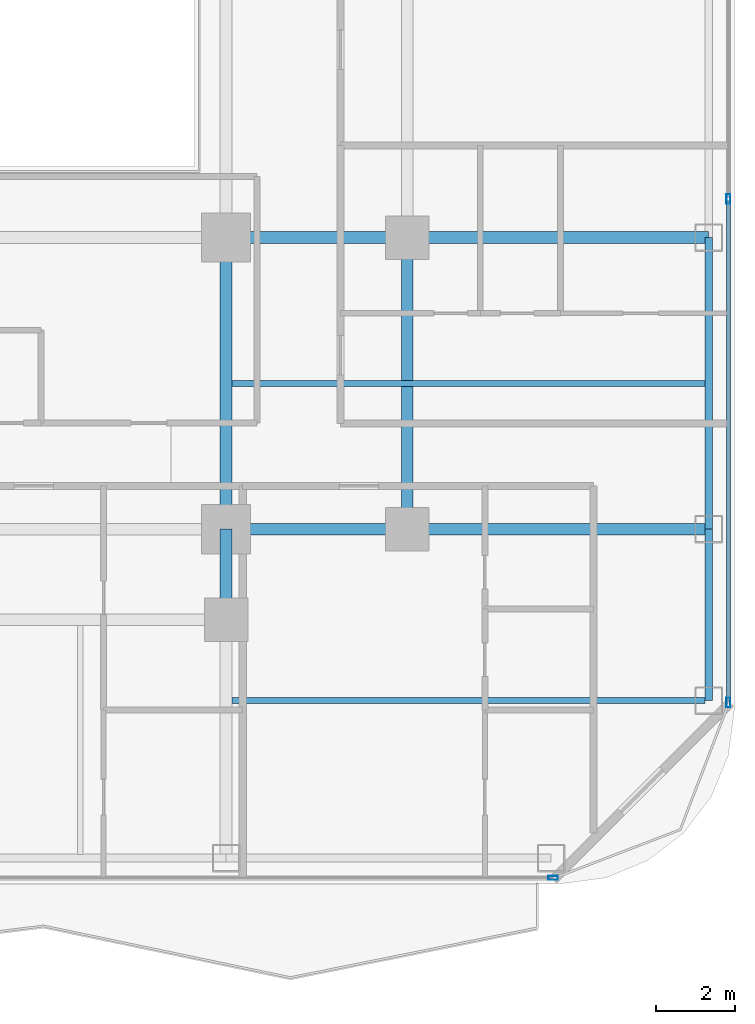
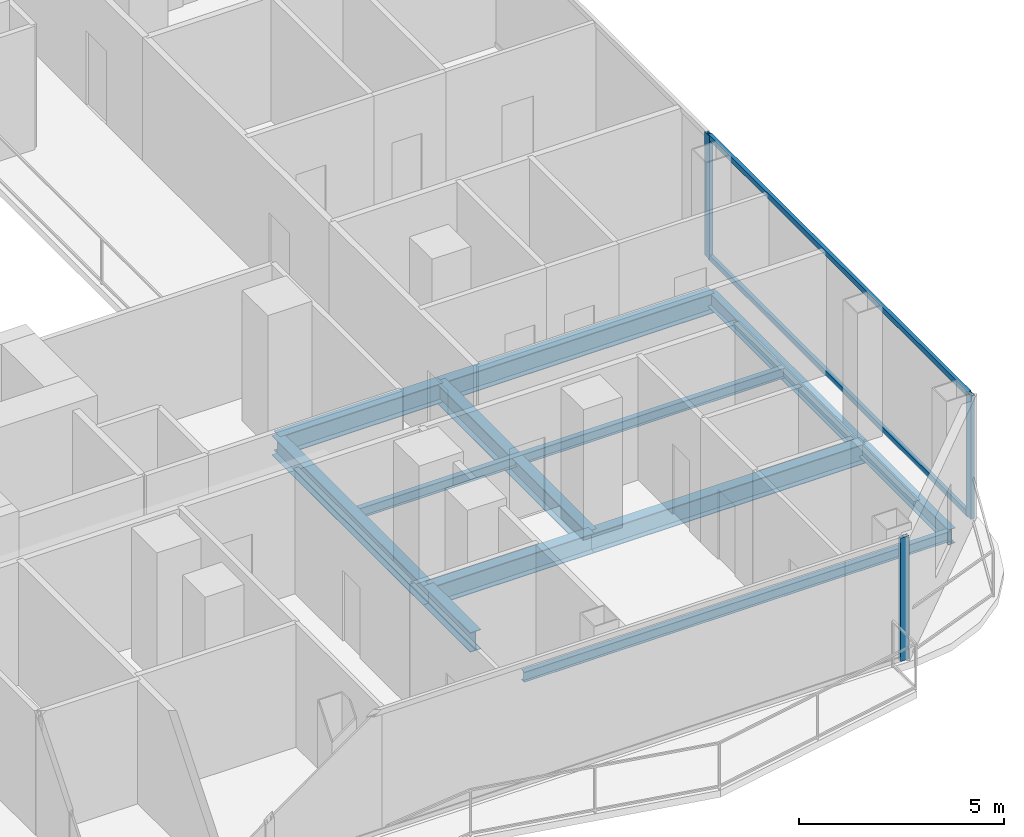
# One storey, part 10 of 29: 11 beams, 5 members, 2 elements without a shape of their own.
"""IFC4 building model written with IfcOpenShell, lengths in metres."""

from ifc_helpers import new_model, si_unit, direction, frame, origin, origin_2d, place, context, subcontext, project, spatial, hollow_rectangle, i_section, extrude, material, layer, layer_set, material_profile, profile_set, type_object, element, aggregate, save


model = new_model("IFC4")

# Units and contexts
model_context = context("Model", 3, precision=1e-05, world=origin(), true_north=direction((0.0, 1.0)))
body_context = subcontext(model_context, "Body", "Model", "MODEL_VIEW")
ifc_project = project(units=[si_unit("LENGTHUNIT", "METRE"), si_unit("AREAUNIT", "SQUARE_METRE"), si_unit("VOLUMEUNIT", "CUBIC_METRE"), si_unit("PLANEANGLEUNIT", "RADIAN"), si_unit("MASSUNIT", "GRAM", prefix="KILO")], contexts=[model_context])

# Site, building, storey
site_placement = place(None, origin())
site = spatial("IfcSite", under=ifc_project, at=site_placement, CompositionType="ELEMENT")
building_placement = place(site_placement, origin())
building = spatial("IfcBuilding", under=site, at=building_placement, Name="Khorvyn Point Tower", CompositionType="ELEMENT")
storey_placement = place(building_placement, frame((0.0, 0.0, 140.699951171875)))
storey = spatial("IfcBuildingStorey", under=building, at=storey_placement, Name="L35", CompositionType="ELEMENT", Elevation=140.699951171875)

# Curtain wall, member
ifc_material_1 = material(Name="Anodised aluminium 6063-T6 and laminated Low-E glass", Category="aluminium")
ifc_layer = layer(ifc_material_1, 0.18994140625)
ifc_layer_set = layer_set([ifc_layer], Name="Stick-Built Acoustic Curtain Wall CW-SYS-03")
curtain_wall_type = type_object("IfcCurtainWallType", Name="Stick-Built Acoustic Curtain Wall CW-SYS-03", PredefinedType="NOTDEFINED", material=ifc_layer_set)
curtain_wall_1_placement = place(storey_placement, origin())
curtain_wall_1 = element("IfcCurtainWall", 1, at=curtain_wall_1_placement, inside=storey, type_object=curtain_wall_type, Name="Curtain Wall", PredefinedType="NOTDEFINED")
ifc_material_2 = material(Name="Anodised aluminium 6063-T6", Category="aluminium")
ifc_material_profile_1 = material_profile(ifc_material_2, hollow_rectangle(XDim=0.10009765625, YDim=0.239990234375, WallThickness=0.0048828125, at=origin_2d()))
ifc_profile_set_1 = profile_set([ifc_material_profile_1], Name="Anodised aluminium 6063-T6 ALU-MUL-100x240")
member_type_1 = type_object("IfcMemberType", Name="Anodised Aluminium 6063-T6 Mullion ALU-MUL-100x240", PredefinedType="MULLION", material=ifc_profile_set_1)
member_1_placement = place(storey_placement, frame((23.10009765625, -23.64990234375, 0.0), z_axis=(0.0, 0.0, 1.0), x_axis=(0.0, -1.0, 0.0)))
member_1 = element("IfcMember", 2, at=member_1_placement, type_object=member_type_1, Name="Transom", PredefinedType="MULLION", context=body_context, shape_type="SweptSolid", body=[
    extrude(hollow_rectangle(XDim=0.10009765625, YDim=0.239990234375, WallThickness=0.0048828125, at=origin_2d()), origin(), (0.0, 0.0, 1.0), 3.679931640625),
])
aggregate(curtain_wall_1, [member_1])

# Curtain wall, members
curtain_wall_2_placement = place(storey_placement, origin())
curtain_wall_2 = element("IfcCurtainWall", 3, at=curtain_wall_2_placement, inside=storey, type_object=curtain_wall_type, Name="Curtain Wall", PredefinedType="NOTDEFINED")
member_2_placement = place(storey_placement, frame((27.550048828125, -6.416748046875, 0.0), z_axis=(0.0, 0.0, 1.0), x_axis=(1.0, 0.0, 0.0)))
member_2 = element("IfcMember", 4, at=member_2_placement, type_object=member_type_1, Name="Transom", PredefinedType="MULLION", context=body_context, shape_type="SweptSolid", body=[
    extrude(hollow_rectangle(XDim=0.10009765625, YDim=0.239990234375, WallThickness=0.0048828125, at=origin_2d()), origin(), (0.0, 0.0, 1.0), 3.679931640625),
])
member_3_placement = place(storey_placement, frame((27.550048828125, -19.199951171875, 0.0), z_axis=(0.0, 0.0, 1.0), x_axis=(1.0, 0.0, 0.0)))
member_3 = element("IfcMember", 5, at=member_3_placement, type_object=member_type_1, Name="Transom", PredefinedType="MULLION", context=body_context, shape_type="SweptSolid", body=[
    extrude(hollow_rectangle(XDim=0.10009765625, YDim=0.239990234375, WallThickness=0.0048828125, at=origin_2d()), origin(), (0.0, 0.0, 1.0), 3.679931640625),
])
ifc_material_profile_2 = material_profile(ifc_material_2, hollow_rectangle(XDim=0.10009765625, YDim=0.159912109375, WallThickness=0.00439453125, at=origin_2d()))
ifc_profile_set_2 = profile_set([ifc_material_profile_2], Name="Anodised aluminium 6063-T6 ALU-TRN-100x160")
member_type_2 = type_object("IfcMemberType", Name="Anodised Aluminium 6063-T6 Transom ALU-TRN-100x160", PredefinedType="USERDEFINED", material=ifc_profile_set_2)
member_4_placement = place(storey_placement, frame((27.550048828125, -6.466552734375, 0.050048828125), z_axis=(0.0, -1.0, 0.0), x_axis=(1.0, 0.0, 0.0)))
member_4 = element("IfcMember", 6, at=member_4_placement, type_object=member_type_2, Name="Transom", ObjectType="TRANSOM", PredefinedType="USERDEFINED", context=body_context, shape_type="SweptSolid", body=[
    extrude(hollow_rectangle(XDim=0.10009765625, YDim=0.159912109375, WallThickness=0.00439453125, at=origin_2d()), origin(), (0.0, 0.0, 1.0), 12.683349609375),
])
member_5_placement = place(storey_placement, frame((27.550048828125, -6.466552734375, 3.630126953125), z_axis=(0.0, -1.0, 0.0), x_axis=(1.0, 0.0, 0.0)))
member_5 = element("IfcMember", 7, at=member_5_placement, type_object=member_type_2, Name="Transom", ObjectType="TRANSOM", PredefinedType="USERDEFINED", context=body_context, shape_type="SweptSolid", body=[
    extrude(hollow_rectangle(XDim=0.10009765625, YDim=0.159912109375, WallThickness=0.00439453125, at=origin_2d()), origin(), (0.0, 0.0, 1.0), 12.683349609375),
])
aggregate(curtain_wall_2, [member_2, member_3, member_4, member_5])

# Beams
ifc_material_3 = material(Name="Steel S355", Category="steel")
ifc_material_profile_3 = material_profile(ifc_material_3, i_section(OverallWidth=0.300048828125, OverallDepth=0.587890625, WebThickness=0.011962890625, FlangeThickness=0.02001953125, at=origin_2d()))
ifc_profile_set_3 = profile_set([ifc_material_profile_3], Name="Steel S355 H588x300x12x20")
beam_type_1 = type_object("IfcBeamType", Name="Steel S355 Beam H588x300x12x20", PredefinedType="BEAM", material=ifc_profile_set_3)
beam_1_placement = place(storey_placement, frame((14.800048828125, -14.800048828125, -0.513916015625), z_axis=(1.0, 0.0, 0.0), x_axis=(0.0, 1.0, 0.0)))
element("IfcBeam", 8, at=beam_1_placement, inside=storey, type_object=beam_type_1, Name="Beam", PredefinedType="BEAM", context=body_context, shape_type="SweptSolid", body=[
    extrude(i_section(OverallWidth=0.300048828125, OverallDepth=0.587890625, WebThickness=0.011962890625, FlangeThickness=0.02001953125, at=origin_2d()), origin(), (0.0, 0.0, 1.0), 4.599853515625),
])
beam_2_placement = place(storey_placement, frame((19.39990234375, -14.800048828125, -0.513916015625), z_axis=(1.0, 0.0, 0.0), x_axis=(0.0, 1.0, 0.0)))
element("IfcBeam", 9, at=beam_2_placement, inside=storey, type_object=beam_type_1, Name="Beam", PredefinedType="BEAM", context=body_context, shape_type="SweptSolid", body=[
    extrude(i_section(OverallWidth=0.300048828125, OverallDepth=0.587890625, WebThickness=0.011962890625, FlangeThickness=0.02001953125, at=origin_2d()), origin(), (0.0, 0.0, 1.0), 7.650146484375),
])
beam_3_placement = place(storey_placement, frame((14.800048828125, -7.39990234375, -0.513916015625), z_axis=(1.0, 0.0, 0.0), x_axis=(0.0, 1.0, 0.0)))
element("IfcBeam", 10, at=beam_3_placement, inside=storey, type_object=beam_type_1, Name="Beam", PredefinedType="BEAM", context=body_context, shape_type="SweptSolid", body=[
    extrude(i_section(OverallWidth=0.300048828125, OverallDepth=0.587890625, WebThickness=0.011962890625, FlangeThickness=0.02001953125, at=origin_2d()), origin(), (0.0, 0.0, 1.0), 4.599853515625),
])
beam_4_placement = place(storey_placement, frame((19.39990234375, -7.39990234375, -0.513916015625), z_axis=(1.0, 0.0, 0.0), x_axis=(0.0, 1.0, 0.0)))
element("IfcBeam", 11, at=beam_4_placement, inside=storey, type_object=beam_type_1, Name="Beam", PredefinedType="BEAM", context=body_context, shape_type="SweptSolid", body=[
    extrude(i_section(OverallWidth=0.300048828125, OverallDepth=0.587890625, WebThickness=0.011962890625, FlangeThickness=0.02001953125, at=origin_2d()), origin(), (0.0, 0.0, 1.0), 7.650146484375),
])
beam_5_placement = place(storey_placement, frame((14.800048828125, -17.10009765625, -0.513916015625), z_axis=(0.0, 1.0, 0.0), x_axis=(-1.0, 0.0, 0.0)))
element("IfcBeam", 12, at=beam_5_placement, inside=storey, type_object=beam_type_1, Name="Beam", PredefinedType="BEAM", context=body_context, shape_type="SweptSolid", body=[
    extrude(i_section(OverallWidth=0.300048828125, OverallDepth=0.587890625, WebThickness=0.011962890625, FlangeThickness=0.02001953125, at=origin_2d()), origin(), (0.0, 0.0, 1.0), 2.300048828125),
])
for number, where, z_axis, x_axis, name in (
    (13, (14.800048828125, -14.800048828125, -0.513916015625), (0.0, 1.0, 0.0), (-1.0, 0.0, 0.0), "Beam"),
    (14, (19.39990234375, -14.800048828125, -0.513916015625), (0.0, 1.0, 0.0), (-1.0, 0.0, 0.0), "Beam"),
):
    element("IfcBeam", number, at=place(storey_placement, frame(where, z_axis=z_axis, x_axis=x_axis)), inside=storey, type_object=beam_type_1, Name=name, PredefinedType="BEAM", context=body_context, shape_type="SweptSolid", body=[
        extrude(i_section(OverallWidth=0.300048828125, OverallDepth=0.587890625, WebThickness=0.011962890625, FlangeThickness=0.02001953125, at=origin_2d()), origin(), (0.0, 0.0, 1.0), 7.400146484375),
    ])
ifc_material_profile_4 = material_profile(ifc_material_3, i_section(OverallWidth=0.14990234375, OverallDepth=0.300048828125, WebThickness=0.006591796875, FlangeThickness=0.009033203125, at=origin_2d()))
ifc_profile_set_4 = profile_set([ifc_material_profile_4], Name="Steel S355 H300x150x6.5x9")
beam_type_2 = type_object("IfcBeamType", Name="Steel S355 Joist H300x150x6.5x9", PredefinedType="JOIST", material=ifc_profile_set_4)
for number, where, z_axis, x_axis, name in (
    (15, (14.949951171875, -11.10009765625, -0.369873046875), (1.0, 0.0, 0.0), (0.0, 1.0, 0.0), "Beam"),
    (16, (14.949951171875, -19.14990234375, -0.369873046875), (1.0, 0.0, 0.0), (0.0, 1.0, 0.0), "Beam"),
):
    element("IfcBeam", number, at=place(storey_placement, frame(where, z_axis=z_axis, x_axis=x_axis)), inside=storey, type_object=beam_type_2, Name=name, PredefinedType="JOIST", context=body_context, shape_type="SweptSolid", body=[
        extrude(i_section(OverallWidth=0.14990234375, OverallDepth=0.300048828125, WebThickness=0.006591796875, FlangeThickness=0.009033203125, at=origin_2d()), origin(), (0.0, 0.0, 1.0), 12.0),
    ])
ifc_material_profile_5 = material_profile(ifc_material_3, i_section(OverallWidth=0.199951171875, OverallDepth=0.449951171875, WebThickness=0.009033203125, FlangeThickness=0.013916015625, at=origin_2d()))
ifc_profile_set_5 = profile_set([ifc_material_profile_5], Name="Steel S355 H450x200x9x14")
beam_type_3 = type_object("IfcBeamType", Name="Steel S355 Spandrel H450x200x9x14", PredefinedType="SPANDREL", material=ifc_profile_set_5)
beam_6_placement = place(storey_placement, frame((27.050048828125, -19.14990234375, -0.445068359375), z_axis=(0.0, 1.0, 0.0), x_axis=(-1.0, 0.0, 0.0)))
element("IfcBeam", 17, at=beam_6_placement, inside=storey, type_object=beam_type_3, Name="Beam", PredefinedType="SPANDREL", context=body_context, shape_type="SweptSolid", body=[
    extrude(i_section(OverallWidth=0.199951171875, OverallDepth=0.449951171875, WebThickness=0.009033203125, FlangeThickness=0.013916015625, at=origin_2d()), origin(), (0.0, 0.0, 1.0), 4.349853515625),
])
beam_7_placement = place(storey_placement, frame((27.050048828125, -14.800048828125, -0.445068359375), z_axis=(0.0, 1.0, 0.0), x_axis=(-1.0, 0.0, 0.0)))
element("IfcBeam", 18, at=beam_7_placement, inside=storey, type_object=beam_type_3, Name="Beam", PredefinedType="SPANDREL", context=body_context, shape_type="SweptSolid", body=[
    extrude(i_section(OverallWidth=0.199951171875, OverallDepth=0.449951171875, WebThickness=0.009033203125, FlangeThickness=0.013916015625, at=origin_2d()), origin(), (0.0, 0.0, 1.0), 7.400146484375),
])

save(model, "model.ifc")
